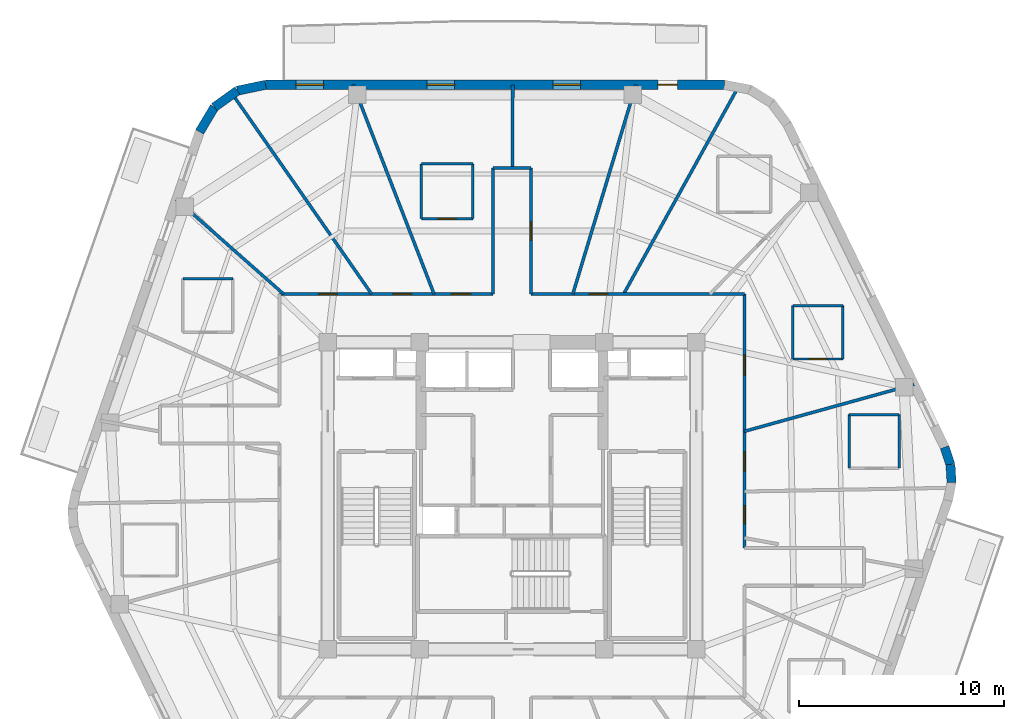
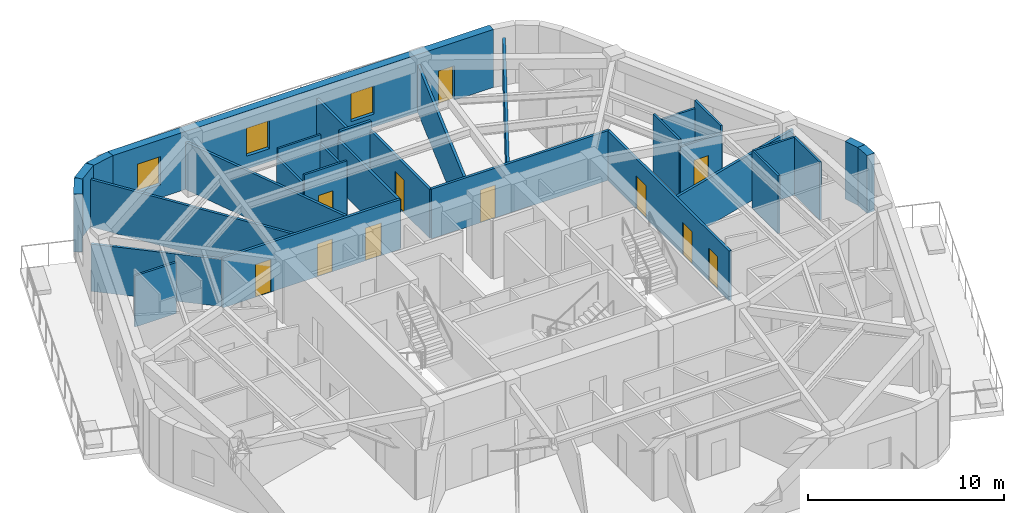
# One storey, part 6 of 9: 31 walls, 11 doors, 3 windows, 14 openings.
"""IFC4 building model written with IfcOpenShell, lengths in metres."""

from ifc_helpers import new_model, si_unit, direction, frame, frame_2d, origin, place, context, subcontext, project, spatial, rectangle, extrude, material, layer, layer_set, type_object, element, fill, save


model = new_model("IFC4")

# Units and contexts
model_context = context("Model", 3, precision=1e-05, world=origin(), true_north=direction((0.0, 1.0)))
body_context = subcontext(model_context, "Body", "Model", "MODEL_VIEW")
ifc_project = project(units=[si_unit("LENGTHUNIT", "METRE"), si_unit("AREAUNIT", "SQUARE_METRE"), si_unit("VOLUMEUNIT", "CUBIC_METRE"), si_unit("PLANEANGLEUNIT", "RADIAN"), si_unit("MASSUNIT", "GRAM", prefix="KILO")], contexts=[model_context])

# Site, building, storey
site_placement = place(None, origin())
site = spatial("IfcSite", under=ifc_project, at=site_placement, CompositionType="ELEMENT")
building_placement = place(site_placement, origin())
building = spatial("IfcBuilding", under=site, at=building_placement, Name="Kilnhurst Terrace Hotel", CompositionType="ELEMENT")
storey_placement = place(building_placement, frame((0.0, 0.0, 269.10009765625)))
storey = spatial("IfcBuildingStorey", under=building, at=storey_placement, Name="L67", CompositionType="ELEMENT", Elevation=269.10009765625)

# Walls
ifc_material_1 = material(Name="Precast concrete C40/50", Category="concrete")
ifc_layer_1 = layer(ifc_material_1, 0.449951171875, Name="Precast concrete C40/50")
ifc_layer_set_1 = layer_set([ifc_layer_1], Name="Precast concrete C40/50")
wall_type_1 = type_object("IfcWallType", Name="WL-BRK-450", PredefinedType="SOLIDWALL", material=ifc_layer_set_1)
wall_1_placement = place(storey_placement, frame((21.475830078125, 0.6435546875, 0.0), z_axis=(0.0, 0.0, 1.0), x_axis=(-0.061031097918, 0.998135865044, 0.0)))
element("IfcWall", 1, at=wall_1_placement, inside=storey, type_object=wall_type_1, Name="L67 Rounded Corner Brick Wall C3.2", PredefinedType="SOLIDWALL", context=body_context, shape_type="SweptSolid", body=[
    extrude(rectangle(XDim=0.880126953125, YDim=0.449951171875, at=frame_2d((0.43994140625, 0.0))), origin(), (0.0, 0.0, 1.0), 3.599853515625),
])
wall_2_placement = place(storey_placement, frame((21.422119140625, 1.52197265625, 0.0), z_axis=(0.0, 0.0, 1.0), x_axis=(-0.316964162323, 0.94843751497, 0.0)))
element("IfcWall", 2, at=wall_2_placement, inside=storey, type_object=wall_type_1, Name="L67 Rounded Corner Brick Wall C3.3", PredefinedType="SOLIDWALL", context=body_context, shape_type="SweptSolid", body=[
    extrude(rectangle(XDim=0.89501953125, YDim=0.449951171875, at=frame_2d((0.447509765625, 0.0))), origin(), (0.0, 0.0, 1.0), 3.599853515625),
])
wall_3_placement = place(storey_placement, frame((-12.038330078125, 20.074951171875, 0.0), z_axis=(0.0, 0.0, 1.0), x_axis=(-0.978750122553, -0.205056571711, 0.0)))
element("IfcWall", 3, at=wall_3_placement, inside=storey, type_object=wall_type_1, Name="L67 Rounded Corner Brick Wall C5.1", PredefinedType="SOLIDWALL", context=body_context, shape_type="SweptSolid", body=[
    extrude(rectangle(XDim=1.406005859375, YDim=0.449951171875, at=frame_2d((0.703125, 0.0))), origin(), (0.0, 0.0, 1.0), 3.599853515625),
])
wall_4_placement = place(storey_placement, frame((-13.41455078125, 19.78662109375, 0.0), z_axis=(0.0, 0.0, 1.0), x_axis=(-0.814055493997, -0.580787097561, 0.0)))
element("IfcWall", 4, at=wall_4_placement, inside=storey, type_object=wall_type_1, Name="L67 Rounded Corner Brick Wall C5.2", PredefinedType="SOLIDWALL", context=body_context, shape_type="SweptSolid", body=[
    extrude(rectangle(XDim=1.382568359375, YDim=0.449951171875, at=frame_2d((0.69140625, 0.0))), origin(), (0.0, 0.0, 1.0), 3.599853515625),
])
wall_5_placement = place(storey_placement, frame((-14.5400390625, 18.983642578125, 0.0), z_axis=(0.0, 0.0, 1.0), x_axis=(-0.512374906623, -0.858761873317, 0.0)))
element("IfcWall", 5, at=wall_5_placement, inside=storey, type_object=wall_type_1, Name="L67 Rounded Corner Brick Wall C5.3", PredefinedType="SOLIDWALL", context=body_context, shape_type="SweptSolid", body=[
    extrude(rectangle(XDim=1.406005859375, YDim=0.449951171875, at=frame_2d((0.703125, 0.0))), origin(), (0.0, 0.0, 1.0), 3.599853515625),
])

# Wall, openings, door, windows
wall_6_placement = place(storey_placement, frame((10.37890625, 20.074951171875, 0.0), z_axis=(0.0, 0.0, 1.0), x_axis=(-1.0, 0.0, 0.0)))
wall_6 = element("IfcWall", 6, at=wall_6_placement, inside=storey, type_object=wall_type_1, Name="L67 Exterior Brick Facade Wall F4", PredefinedType="SOLIDWALL", context=body_context, shape_type="SweptSolid", body=[
    extrude(rectangle(XDim=22.417236328125, YDim=0.449951171875, at=frame_2d((11.20849609375, 0.0))), origin(), (0.0, 0.0, 1.0), 3.599853515625),
])
opening_1_placement = place(wall_6_placement, frame((2.302001953125, 0.0, 0.0)))
opening_1 = element("IfcOpeningElement", 7, at=opening_1_placement, cuts=wall_6, Name="Opening BD-950", PredefinedType="OPENING", context=body_context, shape_type="SweptSolid", body=[
    extrude(rectangle(XDim=0.949951171875, YDim=2.14990234375, at=frame_2d((0.47509765625, 1.074951171875))), frame((0.0, 0.23486328125, 0.0), z_axis=(0.0, -1.0, 0.0), x_axis=(1.0, 0.0, 0.0)), (0.0, 0.0, 1.0), 0.469970703125),
])
opening_2_placement = place(wall_6_placement, frame((7.02197265625, 0.0, 0.800048828125)))
opening_2 = element("IfcOpeningElement", 8, at=opening_2_placement, cuts=wall_6, Name="Opening W-06", PredefinedType="OPENING", context=body_context, shape_type="SweptSolid", body=[
    extrude(rectangle(XDim=1.35009765625, YDim=1.75, at=frame_2d((0.675048828125, 0.875))), frame((0.0, 0.23486328125, 0.0), z_axis=(0.0, -1.0, 0.0), x_axis=(1.0, 0.0, 0.0)), (0.0, 0.0, 1.0), 0.469970703125),
])
opening_3_placement = place(wall_6_placement, frame((13.179931640625, 0.0, 0.800048828125)))
opening_3 = element("IfcOpeningElement", 9, at=opening_3_placement, cuts=wall_6, Name="Opening W-06", PredefinedType="OPENING", context=body_context, shape_type="SweptSolid", body=[
    extrude(rectangle(XDim=1.35009765625, YDim=1.75, at=frame_2d((0.675048828125, 0.875))), frame((0.0, 0.23486328125, 0.0), z_axis=(0.0, -1.0, 0.0), x_axis=(1.0, 0.0, 0.0)), (0.0, 0.0, 1.0), 0.469970703125),
])
opening_4_placement = place(wall_6_placement, frame((19.5869140625, 0.0, 0.800048828125)))
opening_4 = element("IfcOpeningElement", 10, at=opening_4_placement, cuts=wall_6, Name="Opening W-06", PredefinedType="OPENING", context=body_context, shape_type="SweptSolid", body=[
    extrude(rectangle(XDim=1.35009765625, YDim=1.75, at=frame_2d((0.675048828125, 0.875))), frame((0.0, 0.23486328125, 0.0), z_axis=(0.0, -1.0, 0.0), x_axis=(1.0, 0.0, 0.0)), (0.0, 0.0, 1.0), 0.469970703125),
])
ifc_material_2 = material(Name="Thermally Broken Bronze Aluminium Alloy 6063-T6 and Laminated Glass", Category="aluminium")
door_type_1 = type_object("IfcDoorType", Name="DR-EXT-BAL-950", OperationType="NOTDEFINED", PredefinedType="DOOR", material=ifc_material_2)
door_1_placement = place(opening_1_placement, origin())
door_1 = element("IfcDoor", 11, at=door_1_placement, inside=storey, type_object=door_type_1, Name="L67 Planted Balcony Door BAL-L2A", OperationType="SINGLE_SWING_RIGHT", OverallHeight=2.14990234375, OverallWidth=0.949951171875, PredefinedType="DOOR", context=body_context, shape_type="SweptSolid", body=[
    extrude(rectangle(XDim=0.949951171875, YDim=2.14990234375, at=frame_2d((0.47509765625, 1.074951171875))), frame((0.0, 0.02490234375, 0.0), z_axis=(0.0, -1.0, 0.0), x_axis=(1.0, 0.0, 0.0)), (0.0, 0.0, 1.0), 0.050048828125),
])
fill(opening_1, door_1)
ifc_material_3 = material(Name="Thermally Broken Bronze Aluminium Alloy 6063-T6 and Low-E Glass", Category="aluminium")
window_type = type_object("IfcWindowType", Name="WIN-1350X1750", PartitioningType="SINGLE_PANEL", PredefinedType="WINDOW", material=ifc_material_3)
window_1_placement = place(opening_2_placement, origin())
window_1 = element("IfcWindow", 12, at=window_1_placement, inside=storey, type_object=window_type, Name="L67 Deep-Set Masonry Window F4.1", OverallHeight=1.75, OverallWidth=1.35009765625, PartitioningType="SINGLE_PANEL", PredefinedType="WINDOW", context=body_context, shape_type="SweptSolid", body=[
    extrude(rectangle(XDim=1.35009765625, YDim=1.75, at=frame_2d((0.675048828125, 0.875))), frame((0.0, 0.030029296875, 0.0), z_axis=(0.0, -1.0, 0.0), x_axis=(1.0, 0.0, 0.0)), (0.0, 0.0, 1.0), 0.06005859375),
])
fill(opening_2, window_1)
window_2_placement = place(opening_3_placement, origin())
window_2 = element("IfcWindow", 13, at=window_2_placement, inside=storey, type_object=window_type, Name="L67 Deep-Set Masonry Window F4.2", OverallHeight=1.75, OverallWidth=1.35009765625, PartitioningType="SINGLE_PANEL", PredefinedType="WINDOW", context=body_context, shape_type="SweptSolid", body=[
    extrude(rectangle(XDim=1.35009765625, YDim=1.75, at=frame_2d((0.675048828125, 0.875))), frame((0.0, 0.030029296875, 0.0), z_axis=(0.0, -1.0, 0.0), x_axis=(1.0, 0.0, 0.0)), (0.0, 0.0, 1.0), 0.06005859375),
])
fill(opening_3, window_2)
window_3_placement = place(opening_4_placement, origin())
window_3 = element("IfcWindow", 14, at=window_3_placement, inside=storey, type_object=window_type, Name="L67 Deep-Set Masonry Window F4.3", OverallHeight=1.75, OverallWidth=1.35009765625, PartitioningType="SINGLE_PANEL", PredefinedType="WINDOW", context=body_context, shape_type="SweptSolid", body=[
    extrude(rectangle(XDim=1.35009765625, YDim=1.75, at=frame_2d((0.675048828125, 0.875))), frame((0.0, 0.030029296875, 0.0), z_axis=(0.0, -1.0, 0.0), x_axis=(1.0, 0.0, 0.0)), (0.0, 0.0, 1.0), 0.06005859375),
])
fill(opening_4, window_3)

# Wall, openings, doors
ifc_material_4 = material(Name="Acoustic Double-Gypsum Corridor Partition Assembly")
ifc_layer_2 = layer(ifc_material_4, 0.14990234375, Name="Acoustic Double-Gypsum Corridor Partition Assembly")
ifc_layer_set_2 = layer_set([ifc_layer_2], Name="Acoustic Double-Gypsum Corridor Partition Assembly")
wall_type_2 = type_object("IfcWallType", Name="WL-COR-150", PredefinedType="PARTITIONING", material=ifc_layer_set_2)
wall_7_placement = place(storey_placement, frame((-11.35009765625, 9.85009765625, 0.0), z_axis=(0.0, 0.0, 1.0), x_axis=(1.0, 0.0, 0.0)))
wall_7 = element("IfcWall", 15, at=wall_7_placement, inside=storey, type_object=wall_type_2, Name="L67 Interior Wall WL-L67-COR-06", PredefinedType="PARTITIONING", context=body_context, shape_type="SweptSolid", body=[
    extrude(rectangle(XDim=10.43017578125, YDim=0.14990234375, at=frame_2d((5.215087890625, 0.0))), origin(), (0.0, 0.0, 1.0), 3.08984375),
])
opening_5_placement = place(wall_7_placement, frame((8.382080078125, 0.0, 0.0)))
opening_5 = element("IfcOpeningElement", 16, at=opening_5_placement, cuts=wall_7, Name="Opening D-60B", PredefinedType="OPENING", context=body_context, shape_type="SweptSolid", body=[
    extrude(rectangle(XDim=0.949951171875, YDim=2.030029296875, at=frame_2d((0.47509765625, 1.01513671875))), frame((0.0, 0.0849609375, 0.0), z_axis=(0.0, -1.0, 0.0), x_axis=(1.0, 0.0, 0.0)), (0.0, 0.0, 1.0), 0.169921875),
])
opening_6_placement = place(wall_7_placement, frame((5.541015625, 0.0, 0.0)))
opening_6 = element("IfcOpeningElement", 17, at=opening_6_placement, cuts=wall_7, Name="Opening D-60C", PredefinedType="OPENING", context=body_context, shape_type="SweptSolid", body=[
    extrude(rectangle(XDim=0.89990234375, YDim=2.030029296875, at=frame_2d((0.449951171875, 1.01513671875))), frame((0.0, 0.0849609375, 0.0), z_axis=(0.0, -1.0, 0.0), x_axis=(1.0, 0.0, 0.0)), (0.0, 0.0, 1.0), 0.169921875),
])
opening_7_placement = place(wall_7_placement, frame((1.916015625, 0.0, 0.0)))
opening_7 = element("IfcOpeningElement", 18, at=opening_7_placement, cuts=wall_7, Name="Opening D-60C", PredefinedType="OPENING", context=body_context, shape_type="SweptSolid", body=[
    extrude(rectangle(XDim=0.89990234375, YDim=2.030029296875, at=frame_2d((0.449951171875, 1.01513671875))), frame((0.0, 0.0849609375, 0.0), z_axis=(0.0, -1.0, 0.0), x_axis=(1.0, 0.0, 0.0)), (0.0, 0.0, 1.0), 0.169921875),
])
ifc_material_5 = material(Name="Painted Solid-Core Service Fire Door")
door_type_2 = type_object("IfcDoorType", Name="DR-FD60-900", OperationType="NOTDEFINED", PredefinedType="DOOR", material=ifc_material_5)
door_2_placement = place(opening_6_placement, origin())
door_2 = element("IfcDoor", 19, at=door_2_placement, inside=storey, type_object=door_type_2, Name="L67 Botanical Reading Lounge Door 7", OperationType="SINGLE_SWING_LEFT", OverallHeight=2.030029296875, OverallWidth=0.89990234375, PredefinedType="DOOR", context=body_context, shape_type="SweptSolid", body=[
    extrude(rectangle(XDim=0.89990234375, YDim=2.030029296875, at=frame_2d((0.449951171875, 1.01513671875))), frame((0.0, 0.02490234375, 0.0), z_axis=(0.0, -1.0, 0.0), x_axis=(1.0, 0.0, 0.0)), (0.0, 0.0, 1.0), 0.050048828125),
])
fill(opening_6, door_2)
door_3_placement = place(opening_7_placement, origin())
door_3 = element("IfcDoor", 20, at=door_3_placement, inside=storey, type_object=door_type_2, Name="L67 Private Meeting Salon Door 8", OperationType="SINGLE_SWING_RIGHT", OverallHeight=2.030029296875, OverallWidth=0.89990234375, PredefinedType="DOOR", context=body_context, shape_type="SweptSolid", body=[
    extrude(rectangle(XDim=0.89990234375, YDim=2.030029296875, at=frame_2d((0.449951171875, 1.01513671875))), frame((0.0, 0.02490234375, 0.0), z_axis=(0.0, -1.0, 0.0), x_axis=(1.0, 0.0, 0.0)), (0.0, 0.0, 1.0), 0.050048828125),
])
fill(opening_7, door_3)
ifc_material_6 = material(Name="Acoustic Walnut Veneer Solid-Core Fire Door")
door_type_3 = type_object("IfcDoorType", Name="DR-FD60-950", OperationType="NOTDEFINED", PredefinedType="DOOR", material=ifc_material_6)
door_4_placement = place(opening_5_placement, origin())
door_4 = element("IfcDoor", 21, at=door_4_placement, inside=storey, type_object=door_type_3, Name="L67 Guest Room Entry Door 6", OperationType="SINGLE_SWING_RIGHT", OverallHeight=2.030029296875, OverallWidth=0.949951171875, PredefinedType="DOOR", context=body_context, shape_type="SweptSolid", body=[
    extrude(rectangle(XDim=0.949951171875, YDim=2.030029296875, at=frame_2d((0.47509765625, 1.01513671875))), frame((0.0, 0.02490234375, 0.0), z_axis=(0.0, -1.0, 0.0), x_axis=(1.0, 0.0, 0.0)), (0.0, 0.0, 1.0), 0.050048828125),
])
fill(opening_5, door_4)

# Walls
wall_8_placement = place(storey_placement, frame((-0.919921875, 9.85009765625, 0.0), z_axis=(0.0, 0.0, 1.0), x_axis=(0.0, 1.0, 0.0)))
element("IfcWall", 22, at=wall_8_placement, inside=storey, type_object=wall_type_2, Name="L67 Interior Wall WL-L67-COR-07", PredefinedType="PARTITIONING", context=body_context, shape_type="SweptSolid", body=[
    extrude(rectangle(XDim=6.14990234375, YDim=0.14990234375, at=frame_2d((3.074951171875, 0.0))), origin(), (0.0, 0.0, 1.0), 3.040283203125),
])
wall_9_placement = place(storey_placement, frame((-0.919921875, 16.0, 0.0), z_axis=(0.0, 0.0, 1.0), x_axis=(1.0, 0.0, 0.0)))
element("IfcWall", 23, at=wall_9_placement, inside=storey, type_object=wall_type_2, Name="L67 Interior Wall WL-L67-COR-08", PredefinedType="PARTITIONING", context=body_context, shape_type="SweptSolid", body=[
    extrude(rectangle(XDim=1.83984375, YDim=0.14990234375, at=frame_2d((0.919921875, 0.0))), origin(), (0.0, 0.0, 1.0), 3.599853515625),
])

# Wall, opening, door
wall_10_placement = place(storey_placement, frame((0.919921875, 16.0, 0.0), z_axis=(0.0, 0.0, 1.0), x_axis=(0.0, -1.0, 0.0)))
wall_10 = element("IfcWall", 24, at=wall_10_placement, inside=storey, type_object=wall_type_2, Name="L67 Interior Wall WL-L67-COR-09", PredefinedType="PARTITIONING", context=body_context, shape_type="SweptSolid", body=[
    extrude(rectangle(XDim=6.14990234375, YDim=0.14990234375, at=frame_2d((3.074951171875, 0.0))), origin(), (0.0, 0.0, 1.0), 3.040283203125),
])
opening_8_placement = place(wall_10_placement, frame((2.625, 0.0, 0.0)))
opening_8 = element("IfcOpeningElement", 25, at=opening_8_placement, cuts=wall_10, Name="Opening D-60C", PredefinedType="OPENING", context=body_context, shape_type="SweptSolid", body=[
    extrude(rectangle(XDim=0.89990234375, YDim=2.030029296875, at=frame_2d((0.449951171875, 1.01513671875))), frame((0.0, 0.0849609375, 0.0), z_axis=(0.0, -1.0, 0.0), x_axis=(1.0, 0.0, 0.0)), (0.0, 0.0, 1.0), 0.169921875),
])
door_5_placement = place(opening_8_placement, origin())
door_5 = element("IfcDoor", 26, at=door_5_placement, inside=storey, type_object=door_type_2, Name="L67 Executive Work Office Door 5", OperationType="SINGLE_SWING_LEFT", OverallHeight=2.030029296875, OverallWidth=0.89990234375, PredefinedType="DOOR", context=body_context, shape_type="SweptSolid", body=[
    extrude(rectangle(XDim=0.89990234375, YDim=2.030029296875, at=frame_2d((0.449951171875, 1.01513671875))), frame((0.0, 0.02490234375, 0.0), z_axis=(0.0, -1.0, 0.0), x_axis=(1.0, 0.0, 0.0)), (0.0, 0.0, 1.0), 0.050048828125),
])
fill(opening_8, door_5)

wall_11_placement = place(storey_placement, frame((0.919921875, 9.85009765625, 0.0), z_axis=(0.0, 0.0, 1.0), x_axis=(1.0, 0.0, 0.0)))
wall_11 = element("IfcWall", 27, at=wall_11_placement, inside=storey, type_object=wall_type_2, Name="L67 Interior Wall WL-L67-COR-10", PredefinedType="PARTITIONING", context=body_context, shape_type="SweptSolid", body=[
    extrude(rectangle(XDim=10.43017578125, YDim=0.14990234375, at=frame_2d((5.215087890625, 0.0))), origin(), (0.0, 0.0, 1.0), 3.08984375),
])
opening_9_placement = place(wall_11_placement, frame((2.860107421875, 0.0, 0.0)))
opening_9 = element("IfcOpeningElement", 28, at=opening_9_placement, cuts=wall_11, Name="Opening D-60C", PredefinedType="OPENING", context=body_context, shape_type="SweptSolid", body=[
    extrude(rectangle(XDim=0.89990234375, YDim=2.030029296875, at=frame_2d((0.449951171875, 1.01513671875))), frame((0.0, 0.0849609375, 0.0), z_axis=(0.0, -1.0, 0.0), x_axis=(1.0, 0.0, 0.0)), (0.0, 0.0, 1.0), 0.169921875),
])
door_6_placement = place(opening_9_placement, origin())
door_6 = element("IfcDoor", 29, at=door_6_placement, inside=storey, type_object=door_type_2, Name="L67 Executive Work Office Door 4", OperationType="SINGLE_SWING_RIGHT", OverallHeight=2.030029296875, OverallWidth=0.89990234375, PredefinedType="DOOR", context=body_context, shape_type="SweptSolid", body=[
    extrude(rectangle(XDim=0.89990234375, YDim=2.030029296875, at=frame_2d((0.449951171875, 1.01513671875))), frame((0.0, 0.02490234375, 0.0), z_axis=(0.0, -1.0, 0.0), x_axis=(1.0, 0.0, 0.0)), (0.0, 0.0, 1.0), 0.050048828125),
])
fill(opening_9, door_6)

# Wall, openings, doors
wall_12_placement = place(storey_placement, frame((11.35009765625, 9.85009765625, 0.0), z_axis=(0.0, 0.0, 1.0), x_axis=(0.0, -1.0, 0.0)))
wall_12 = element("IfcWall", 30, at=wall_12_placement, inside=storey, type_object=wall_type_2, Name="L67 Interior Wall WL-L67-COR-11", PredefinedType="PARTITIONING", context=body_context, shape_type="SweptSolid", body=[
    extrude(rectangle(XDim=12.400146484375, YDim=0.14990234375, at=frame_2d((6.2001953125, 0.0))), origin(), (0.0, 0.0, 1.0), 3.08984375),
])
opening_10_placement = place(wall_12_placement, frame((7.697021484375, 0.0, 0.0)))
opening_10 = element("IfcOpeningElement", 31, at=opening_10_placement, cuts=wall_12, Name="Opening D-60B", PredefinedType="OPENING", context=body_context, shape_type="SweptSolid", body=[
    extrude(rectangle(XDim=0.949951171875, YDim=2.030029296875, at=frame_2d((0.47509765625, 1.01513671875))), frame((0.0, 0.0849609375, 0.0), z_axis=(0.0, -1.0, 0.0), x_axis=(1.0, 0.0, 0.0)), (0.0, 0.0, 1.0), 0.169921875),
])
opening_11_placement = place(wall_12_placement, frame((2.972900390625, 0.0, 0.0)))
opening_11 = element("IfcOpeningElement", 32, at=opening_11_placement, cuts=wall_12, Name="Opening D-60A", PredefinedType="OPENING", context=body_context, shape_type="SweptSolid", body=[
    extrude(rectangle(XDim=1.0, YDim=2.030029296875, at=frame_2d((0.5, 1.01513671875))), frame((0.0, 0.0849609375, 0.0), z_axis=(0.0, -1.0, 0.0), x_axis=(1.0, 0.0, 0.0)), (0.0, 0.0, 1.0), 0.169921875),
])
opening_12_placement = place(wall_12_placement, frame((10.3330078125, 0.0, 0.0)))
opening_12 = element("IfcOpeningElement", 33, at=opening_12_placement, cuts=wall_12, Name="Opening D-60C", PredefinedType="OPENING", context=body_context, shape_type="SweptSolid", body=[
    extrude(rectangle(XDim=0.89990234375, YDim=2.030029296875, at=frame_2d((0.449951171875, 1.01513671875))), frame((0.0, 0.0849609375, 0.0), z_axis=(0.0, -1.0, 0.0), x_axis=(1.0, 0.0, 0.0)), (0.0, 0.0, 1.0), 0.169921875),
])
door_type_4 = type_object("IfcDoorType", Name="DR-FD60-1000", OperationType="NOTDEFINED", PredefinedType="DOOR", material=ifc_material_6)
door_7_placement = place(opening_11_placement, origin())
door_7 = element("IfcDoor", 34, at=door_7_placement, inside=storey, type_object=door_type_4, Name="L67 Sky Residence Entry Door 2", OperationType="SINGLE_SWING_RIGHT", OverallHeight=2.030029296875, OverallWidth=1.0, PredefinedType="DOOR", context=body_context, shape_type="SweptSolid", body=[
    extrude(rectangle(XDim=1.0, YDim=2.030029296875, at=frame_2d((0.5, 1.01513671875))), frame((0.0, 0.02490234375, 0.0), z_axis=(0.0, -1.0, 0.0), x_axis=(1.0, 0.0, 0.0)), (0.0, 0.0, 1.0), 0.050048828125),
])
fill(opening_11, door_7)
door_8_placement = place(opening_12_placement, origin())
door_8 = element("IfcDoor", 35, at=door_8_placement, inside=storey, type_object=door_type_2, Name="L67 Private Tasting Dining Room Door 22", OperationType="SINGLE_SWING_RIGHT", OverallHeight=2.030029296875, OverallWidth=0.89990234375, PredefinedType="DOOR", context=body_context, shape_type="SweptSolid", body=[
    extrude(rectangle(XDim=0.89990234375, YDim=2.030029296875, at=frame_2d((0.449951171875, 1.01513671875))), frame((0.0, 0.02490234375, 0.0), z_axis=(0.0, -1.0, 0.0), x_axis=(1.0, 0.0, 0.0)), (0.0, 0.0, 1.0), 0.050048828125),
])
fill(opening_12, door_8)
door_9_placement = place(opening_10_placement, origin())
door_9 = element("IfcDoor", 36, at=door_9_placement, inside=storey, type_object=door_type_3, Name="L67 Guest Room Entry Door 1", OperationType="SINGLE_SWING_LEFT", OverallHeight=2.030029296875, OverallWidth=0.949951171875, PredefinedType="DOOR", context=body_context, shape_type="SweptSolid", body=[
    extrude(rectangle(XDim=0.949951171875, YDim=2.030029296875, at=frame_2d((0.47509765625, 1.01513671875))), frame((0.0, 0.02490234375, 0.0), z_axis=(0.0, -1.0, 0.0), x_axis=(1.0, 0.0, 0.0)), (0.0, 0.0, 1.0), 0.050048828125),
])
fill(opening_10, door_9)

# Walls
ifc_material_7 = material(Name="STC-58 Acoustic Twin-Frame Guestroom Demising Partition")
ifc_layer_3 = layer(ifc_material_7, 0.14990234375, Name="STC-58 Acoustic Twin-Frame Guestroom Demising Partition")
ifc_layer_set_3 = layer_set([ifc_layer_3], Name="STC-58 Acoustic Twin-Frame Guestroom Demising Partition")
wall_type_3 = type_object("IfcWallType", Name="WL-DEM-150", PredefinedType="PARTITIONING", material=ifc_layer_set_3)
wall_13_placement = place(storey_placement, frame((11.35009765625, 3.142822265625, 0.0), z_axis=(0.0, 0.0, 1.0), x_axis=(0.963731818141, 0.266872596386, 0.0)))
element("IfcWall", 37, at=wall_13_placement, inside=storey, type_object=wall_type_3, Name="L67 Interior Wall WL-L67-DEM-COL01-02-1", PredefinedType="PARTITIONING", context=body_context, shape_type="SweptSolid", body=[
    extrude(rectangle(XDim=8.604736328125, YDim=0.14990234375, at=frame_2d((4.30224609375, 0.0))), origin(), (0.0, 0.0, 1.0), 2.93994140625),
])
wall_14_placement = place(storey_placement, frame((5.453857421875, 9.85009765625, 0.0), z_axis=(0.0, 0.0, 1.0), x_axis=(0.48439420613, 0.874849846012, 0.0)))
element("IfcWall", 38, at=wall_14_placement, inside=storey, type_object=wall_type_3, Name="L67 Interior Wall WL-L67-DEM-MID02-04-1", PredefinedType="PARTITIONING", context=body_context, shape_type="SweptSolid", body=[
    extrude(rectangle(XDim=11.37548828125, YDim=0.14990234375, at=frame_2d((5.687744140625, 0.0))), origin(), (0.0, 0.0, 1.0), 2.93994140625),
])
wall_15_placement = place(storey_placement, frame((2.97216796875, 9.85009765625, 0.0), z_axis=(0.0, 0.0, 1.0), x_axis=(0.288872169679, 0.957367677324, 0.0)))
element("IfcWall", 39, at=wall_15_placement, inside=storey, type_object=wall_type_3, Name="L67 Interior Wall WL-L67-DEM-COL03-05-1", PredefinedType="PARTITIONING", context=body_context, shape_type="SweptSolid", body=[
    extrude(rectangle(XDim=10.68017578125, YDim=0.14990234375, at=frame_2d((5.340087890625, 0.0))), origin(), (0.0, 0.0, 1.0), 2.93994140625),
])
wall_16_placement = place(storey_placement, frame((0.02880859375, 16.0, 0.0), z_axis=(0.0, 0.0, 1.0), x_axis=(0.001797372928, 0.999998384724, 0.0)))
element("IfcWall", 40, at=wall_16_placement, inside=storey, type_object=wall_type_3, Name="L67 Interior Wall WL-L67-DEM-MID03-06-1", PredefinedType="PARTITIONING", context=body_context, shape_type="SweptSolid", body=[
    extrude(rectangle(XDim=4.074951171875, YDim=0.14990234375, at=frame_2d((2.03759765625, 0.0))), origin(), (0.0, 0.0, 1.0), 2.93994140625),
])
wall_17_placement = place(storey_placement, frame((-3.8076171875, 9.85009765625, 0.0), z_axis=(0.0, 0.0, 1.0), x_axis=(-0.360587327934, 0.932725457427, 0.0)))
element("IfcWall", 41, at=wall_17_placement, inside=storey, type_object=wall_type_3, Name="L67 Interior Wall WL-L67-DEM-COL04-07-1", PredefinedType="PARTITIONING", context=body_context, shape_type="SweptSolid", body=[
    extrude(rectangle(XDim=10.96240234375, YDim=0.14990234375, at=frame_2d((5.481201171875, 0.0))), origin(), (0.0, 0.0, 1.0), 2.93994140625),
])
wall_18_placement = place(storey_placement, frame((-6.858154296875, 9.85009765625, 0.0), z_axis=(0.0, 0.0, 1.0), x_axis=(-0.571391702066, 0.820677477948, 0.0)))
element("IfcWall", 42, at=wall_18_placement, inside=storey, type_object=wall_type_3, Name="L67 Interior Wall WL-L67-DEM-MID04-08-1", PredefinedType="PARTITIONING", context=body_context, shape_type="SweptSolid", body=[
    extrude(rectangle(XDim=11.737548828125, YDim=0.14990234375, at=frame_2d((5.86865234375, 0.0))), origin(), (0.0, 0.0, 1.0), 2.93994140625),
])
wall_19_placement = place(storey_placement, frame((-11.1572265625, 9.85009765625, 0.0), z_axis=(0.0, 0.0, 1.0), x_axis=(-0.74966962095, 0.661812253909, 0.0)))
element("IfcWall", 43, at=wall_19_placement, inside=storey, type_object=wall_type_3, Name="L67 Interior Wall WL-L67-DEM-COL05-09-1", PredefinedType="PARTITIONING", context=body_context, shape_type="SweptSolid", body=[
    extrude(rectangle(XDim=6.98876953125, YDim=0.14990234375, at=frame_2d((3.494384765625, 0.0))), origin(), (0.0, 0.0, 1.0), 2.93994140625),
])
ifc_material_8 = material(Name="120 mm Moisture-Resistant Tile-Backed Bathroom Partition")
ifc_layer_4 = layer(ifc_material_8, 0.1201171875, Name="120 mm Moisture-Resistant Tile-Backed Bathroom Partition")
ifc_layer_set_4 = layer_set([ifc_layer_4], Name="120 mm Moisture-Resistant Tile-Backed Bathroom Partition")
wall_type_4 = type_object("IfcWallType", Name="WL-PART-120", PredefinedType="PARTITIONING", material=ifc_layer_set_4)
wall_20_placement = place(storey_placement, frame((18.910888671875, 1.34912109375, 0.0), z_axis=(0.0, 0.0, 1.0), x_axis=(0.0, 1.0, 0.0)))
element("IfcWall", 44, at=wall_20_placement, inside=storey, type_object=wall_type_4, Name="L67 Interior Wall WL-L67-BTH-01-2", PredefinedType="PARTITIONING", context=body_context, shape_type="SweptSolid", body=[
    extrude(rectangle(XDim=2.60986328125, YDim=0.1201171875, at=frame_2d((1.304931640625, 0.0))), origin(), (0.0, 0.0, 1.0), 3.599853515625),
])
wall_21_placement = place(storey_placement, frame((18.910888671875, 3.958984375, 0.0), z_axis=(0.0, 0.0, 1.0), x_axis=(-1.0, 0.0, 0.0)))
element("IfcWall", 45, at=wall_21_placement, inside=storey, type_object=wall_type_4, Name="L67 Interior Wall WL-L67-BTH-01-3", PredefinedType="PARTITIONING", context=body_context, shape_type="SweptSolid", body=[
    extrude(rectangle(XDim=2.43994140625, YDim=0.1201171875, at=frame_2d((1.219970703125, 0.0))), origin(), (0.0, 0.0, 1.0), 3.599853515625),
])
wall_22_placement = place(storey_placement, frame((16.470947265625, 3.958984375, 0.0), z_axis=(0.0, 0.0, 1.0), x_axis=(0.0, -1.0, 0.0)))
element("IfcWall", 46, at=wall_22_placement, inside=storey, type_object=wall_type_4, Name="L67 Interior Wall WL-L67-BTH-01-4", PredefinedType="PARTITIONING", context=body_context, shape_type="SweptSolid", body=[
    extrude(rectangle(XDim=2.60986328125, YDim=0.1201171875, at=frame_2d((1.304931640625, 0.0))), origin(), (0.0, 0.0, 1.0), 3.599853515625),
])

# Wall, opening, door
wall_23_placement = place(storey_placement, frame((13.722900390625, 6.677001953125, 0.0), z_axis=(0.0, 0.0, 1.0), x_axis=(1.0, 0.0, 0.0)))
wall_23 = element("IfcWall", 47, at=wall_23_placement, inside=storey, type_object=wall_type_4, Name="L67 Interior Wall WL-L67-KIT-02-1", PredefinedType="PARTITIONING", context=body_context, shape_type="SweptSolid", body=[
    extrude(rectangle(XDim=2.440185546875, YDim=0.1201171875, at=frame_2d((1.22021484375, 0.0))), origin(), (0.0, 0.0, 1.0), 3.12646484375),
])
opening_13_placement = place(wall_23_placement, frame((0.794921875, 0.0, 0.0)))
opening_13 = element("IfcOpeningElement", 48, at=opening_13_placement, cuts=wall_23, Name="Opening D-08A", PredefinedType="OPENING", context=body_context, shape_type="SweptSolid", body=[
    extrude(rectangle(XDim=0.85009765625, YDim=2.030029296875, at=frame_2d((0.425048828125, 1.01513671875))), frame((0.0, 0.070068359375, 0.0), z_axis=(0.0, -1.0, 0.0), x_axis=(1.0, 0.0, 0.0)), (0.0, 0.0, 1.0), 0.14013671875),
])
ifc_material_9 = material(Name="Moisture-Resistant Lacquered En-suite Bathroom Door")
door_type_5 = type_object("IfcDoorType", Name="DR-INT-850", OperationType="NOTDEFINED", PredefinedType="DOOR", material=ifc_material_9)
door_10_placement = place(opening_13_placement, origin())
door_10 = element("IfcDoor", 49, at=door_10_placement, inside=storey, type_object=door_type_5, Name="L67 Sky Residence Kitchen Door 2", OperationType="SINGLE_SWING_RIGHT", OverallHeight=2.030029296875, OverallWidth=0.85009765625, PredefinedType="DOOR", context=body_context, shape_type="SweptSolid", body=[
    extrude(rectangle(XDim=0.85009765625, YDim=2.030029296875, at=frame_2d((0.425048828125, 1.01513671875))), frame((0.0, 0.02490234375, 0.0), z_axis=(0.0, -1.0, 0.0), x_axis=(1.0, 0.0, 0.0)), (0.0, 0.0, 1.0), 0.050048828125),
])
fill(opening_13, door_10)

# Walls
wall_24_placement = place(storey_placement, frame((16.1630859375, 6.677001953125, 0.0), z_axis=(0.0, 0.0, 1.0), x_axis=(0.0, 1.0, 0.0)))
element("IfcWall", 50, at=wall_24_placement, inside=storey, type_object=wall_type_4, Name="L67 Interior Wall WL-L67-KIT-02-2", PredefinedType="PARTITIONING", context=body_context, shape_type="SweptSolid", body=[
    extrude(rectangle(XDim=2.610107421875, YDim=0.1201171875, at=frame_2d((1.30517578125, 0.0))), origin(), (0.0, 0.0, 1.0), 3.599853515625),
])
wall_25_placement = place(storey_placement, frame((16.1630859375, 9.287109375, 0.0), z_axis=(0.0, 0.0, 1.0), x_axis=(-1.0, 0.0, 0.0)))
element("IfcWall", 51, at=wall_25_placement, inside=storey, type_object=wall_type_4, Name="L67 Interior Wall WL-L67-KIT-02-3", PredefinedType="PARTITIONING", context=body_context, shape_type="SweptSolid", body=[
    extrude(rectangle(XDim=2.440185546875, YDim=0.1201171875, at=frame_2d((1.22021484375, 0.0))), origin(), (0.0, 0.0, 1.0), 3.12646484375),
])
wall_26_placement = place(storey_placement, frame((13.722900390625, 9.287109375, 0.0), z_axis=(0.0, 0.0, 1.0), x_axis=(0.0, -1.0, 0.0)))
element("IfcWall", 52, at=wall_26_placement, inside=storey, type_object=wall_type_4, Name="L67 Interior Wall WL-L67-KIT-02-4", PredefinedType="PARTITIONING", context=body_context, shape_type="SweptSolid", body=[
    extrude(rectangle(XDim=2.610107421875, YDim=0.1201171875, at=frame_2d((1.30517578125, 0.0))), origin(), (0.0, 0.0, 1.0), 3.599853515625),
])

# Wall, opening, door
wall_27_placement = place(storey_placement, frame((-4.430908203125, 13.534912109375, 0.0), z_axis=(0.0, 0.0, 1.0), x_axis=(1.0, 0.0, 0.0)))
wall_27 = element("IfcWall", 53, at=wall_27_placement, inside=storey, type_object=wall_type_4, Name="L67 Interior Wall WL-L67-BTH-06-1", PredefinedType="PARTITIONING", context=body_context, shape_type="SweptSolid", body=[
    extrude(rectangle(XDim=2.52001953125, YDim=0.1201171875, at=frame_2d((1.260009765625, 0.0))), origin(), (0.0, 0.0, 1.0), 3.599853515625),
])
opening_14_placement = place(wall_27_placement, frame((0.8349609375, 0.0, 0.0)))
opening_14 = element("IfcOpeningElement", 54, at=opening_14_placement, cuts=wall_27, Name="Opening D-08A", PredefinedType="OPENING", context=body_context, shape_type="SweptSolid", body=[
    extrude(rectangle(XDim=0.85009765625, YDim=2.030029296875, at=frame_2d((0.425048828125, 1.01513671875))), frame((0.0, 0.070068359375, 0.0), z_axis=(0.0, -1.0, 0.0), x_axis=(1.0, 0.0, 0.0)), (0.0, 0.0, 1.0), 0.14013671875),
])
door_11_placement = place(opening_14_placement, origin())
door_11 = element("IfcDoor", 55, at=door_11_placement, inside=storey, type_object=door_type_5, Name="L67 En-suite Bathroom Door 6", OperationType="SINGLE_SWING_LEFT", OverallHeight=2.030029296875, OverallWidth=0.85009765625, PredefinedType="DOOR", context=body_context, shape_type="SweptSolid", body=[
    extrude(rectangle(XDim=0.85009765625, YDim=2.030029296875, at=frame_2d((0.425048828125, 1.01513671875))), frame((0.0, 0.02490234375, 0.0), z_axis=(0.0, -1.0, 0.0), x_axis=(1.0, 0.0, 0.0)), (0.0, 0.0, 1.0), 0.050048828125),
])
fill(opening_14, door_11)

# Walls
wall_28_placement = place(storey_placement, frame((-1.910888671875, 13.534912109375, 0.0), z_axis=(0.0, 0.0, 1.0), x_axis=(0.0, 1.0, 0.0)))
element("IfcWall", 56, at=wall_28_placement, inside=storey, type_object=wall_type_4, Name="L67 Interior Wall WL-L67-BTH-06-2", PredefinedType="PARTITIONING", context=body_context, shape_type="SweptSolid", body=[
    extrude(rectangle(XDim=2.68017578125, YDim=0.1201171875, at=frame_2d((1.340087890625, 0.0))), origin(), (0.0, 0.0, 1.0), 3.040283203125),
])
wall_29_placement = place(storey_placement, frame((-1.910888671875, 16.215087890625, 0.0), z_axis=(0.0, 0.0, 1.0), x_axis=(-1.0, 0.0, 0.0)))
element("IfcWall", 57, at=wall_29_placement, inside=storey, type_object=wall_type_4, Name="L67 Interior Wall WL-L67-BTH-06-3", PredefinedType="PARTITIONING", context=body_context, shape_type="SweptSolid", body=[
    extrude(rectangle(XDim=2.52001953125, YDim=0.1201171875, at=frame_2d((1.260009765625, 0.0))), origin(), (0.0, 0.0, 1.0), 3.599853515625),
])
wall_30_placement = place(storey_placement, frame((-4.430908203125, 16.215087890625, 0.0), z_axis=(0.0, 0.0, 1.0), x_axis=(0.0, -1.0, 0.0)))
element("IfcWall", 58, at=wall_30_placement, inside=storey, type_object=wall_type_4, Name="L67 Interior Wall WL-L67-BTH-06-4", PredefinedType="PARTITIONING", context=body_context, shape_type="SweptSolid", body=[
    extrude(rectangle(XDim=2.68017578125, YDim=0.1201171875, at=frame_2d((1.340087890625, 0.0))), origin(), (0.0, 0.0, 1.0), 3.040283203125),
])
wall_31_placement = place(storey_placement, frame((-13.638916015625, 10.60205078125, 0.0), z_axis=(0.0, 0.0, 1.0), x_axis=(-1.0, 0.0, 0.0)))
element("IfcWall", 59, at=wall_31_placement, inside=storey, type_object=wall_type_4, Name="L67 Interior Wall WL-L67-BTH-09-3", PredefinedType="PARTITIONING", context=body_context, shape_type="SweptSolid", body=[
    extrude(rectangle(XDim=2.440185546875, YDim=0.1201171875, at=frame_2d((1.22021484375, 0.0))), origin(), (0.0, 0.0, 1.0), 3.17236328125),
])

save(model, "model.ifc")
